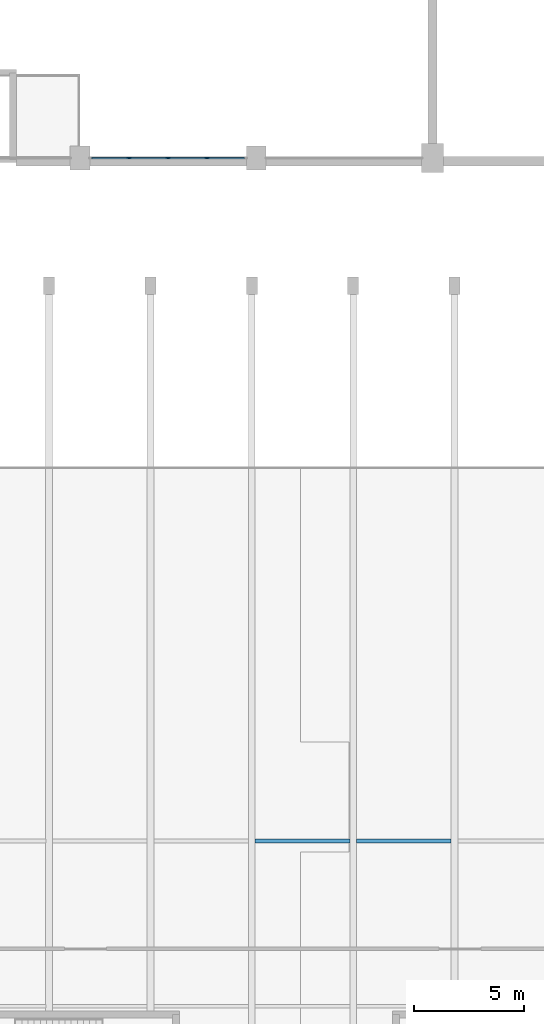
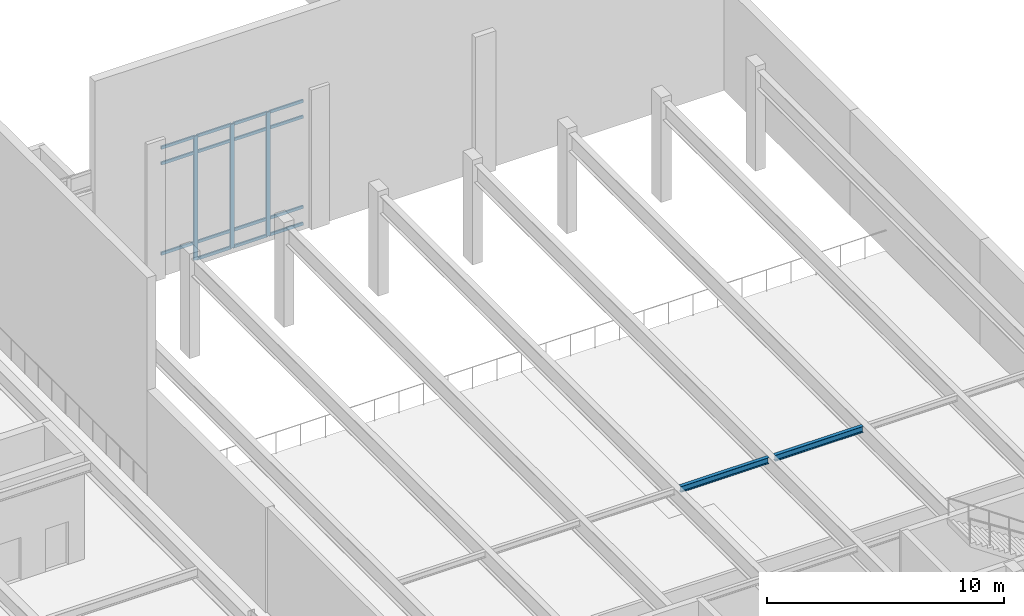
# One storey, part 42 of 84: 18 members, 2 beams, 1 element without a shape of its own.
"""IFC4 building model written with IfcOpenShell, lengths in metres."""

import ifcopenshell
import ifcopenshell.guid

model = None  # the IFC model being written
_history = None  # IfcOwnerHistory: only IFC2X3 demands one
_inside = {}  # id of a spatial element -> (the spatial element, [elements in it])
_under = {}  # id of a project, library or spatial element -> (it, [spatial elements below it])
_declared = {}  # id of a project -> (the project, [libraries it declares])
_typed = {}  # id of a type object -> (the type object, [elements of that type])
_made_of = {}  # id of a material, layer set ... -> (it, [elements and type objects made of it])


def new_model(schema):
    """Start an empty IFC model of exactly this schema.

    Asked for "IFC4X3", IfcOpenShell would pick the latest addendum, in which some entities
    have other attributes; the version numbers below select the first issue.
    IFC2X3 requires an IfcOwnerHistory on every rooted entity: one is made here for all.
    """
    global model, _history
    if schema == "IFC4X3":
        model = ifcopenshell.file(schema_version=(4, 3, 0, 0))
    else:
        model = ifcopenshell.file(schema=schema)
    _inside.clear()
    _under.clear()
    _declared.clear()
    _typed.clear()
    _made_of.clear()
    _history = None
    if model.schema == "IFC2X3":
        org = make("IfcOrganization", Name="unknown")
        user = make(
            "IfcPersonAndOrganization",
            ThePerson=make("IfcPerson", FamilyName="unknown"),
            TheOrganization=org,
        )
        app = make(
            "IfcApplication",
            ApplicationDeveloper=org,
            Version="unknown",
            ApplicationFullName="unknown",
            ApplicationIdentifier="unknown",
        )
        _history = make(
            "IfcOwnerHistory",
            OwningUser=user,
            OwningApplication=app,
            ChangeAction="ADDED",
            CreationDate=0,
        )
    return model


def make(cls, **values):
    """One entity of the class cls with the attributes given. An attribute that is None is left unset."""
    return model.create_entity(
        cls, **{name: value for name, value in values.items() if value is not None}
    )


def rooted(cls, **values):
    """An entity with a GlobalId (a new one), such as an element, a storey or a relation."""
    return make(cls, GlobalId=ifcopenshell.guid.new(), OwnerHistory=_history, **values)


def si_unit(unit_type, name, prefix=None):
    """IfcSIUnit, for example si_unit("LENGTHUNIT", "METRE", prefix="MILLI")."""
    return make("IfcSIUnit", UnitType=unit_type, Prefix=prefix, Name=name)


def assignment(units):
    """IfcUnitAssignment: the units of a project."""
    return None if units is None else make("IfcUnitAssignment", Units=units)


def point(xyz):
    """IfcCartesianPoint."""
    return None if xyz is None else make("IfcCartesianPoint", Coordinates=xyz)


def direction(xyz):
    """IfcDirection."""
    return None if xyz is None else make("IfcDirection", DirectionRatios=xyz)


def frame(location, z_axis=None, x_axis=None):
    """IfcAxis2Placement3D, a coordinate frame: its origin and axes. An axis left out is left unset."""
    return make(
        "IfcAxis2Placement3D",
        Location=point(location),
        Axis=direction(z_axis),
        RefDirection=direction(x_axis),
    )


def frame_2d(location, x_axis=None):
    """IfcAxis2Placement2D, a coordinate frame in the plane: its origin and x axis."""
    return make(
        "IfcAxis2Placement2D", Location=point(location), RefDirection=direction(x_axis)
    )


def origin():
    """The frame at (0, 0, 0) with its axes left unset."""
    return frame((0.0, 0.0, 0.0))


def origin_2d():
    """The frame at (0, 0) in the plane with its x axis left unset."""
    return frame_2d((0.0, 0.0))


def place(relative_to, where):
    """IfcLocalPlacement: puts the frame where relative to a parent placement (None: the world)."""
    return make(
        "IfcLocalPlacement", PlacementRelTo=relative_to, RelativePlacement=where
    )


def context(
    kind, dimensions, precision=None, world=None, true_north=None, identifier=None
):
    """IfcGeometricRepresentationContext, for example the 3D "Model" context."""
    return make(
        "IfcGeometricRepresentationContext",
        ContextIdentifier=identifier,
        ContextType=kind,
        CoordinateSpaceDimension=dimensions,
        Precision=precision,
        WorldCoordinateSystem=world,
        TrueNorth=true_north,
    )


def subcontext(parent, identifier, kind, view, scale=None):
    """IfcGeometricRepresentationSubContext, for example "Body" below "Model"."""
    return make(
        "IfcGeometricRepresentationSubContext",
        ContextIdentifier=identifier,
        ContextType=kind,
        ParentContext=parent,
        TargetScale=scale,
        TargetView=view,
    )


def project(units=None, contexts=None):
    """IfcProject with its units and contexts."""
    return rooted(
        "IfcProject",
        Name="project",
        RepresentationContexts=contexts,
        UnitsInContext=assignment(units),
    )


def spatial(cls, under=None, at=None, **own):
    """A site, building, storey or space (cls), placed at a placement, below another one or the project."""
    s = rooted(cls, ObjectPlacement=at, **own)
    if under is not None:
        _under.setdefault(under.id(), (under, []))[1].append(s)
    return s


def profile(cls, at=None, kind="AREA", **sizes):
    """A parametric profile (cls). Its sizes go by their IFC names, for example OverallWidth=200.0."""
    return make(cls, ProfileType=kind, Position=at, **sizes)


def rectangle(**sizes):
    """IfcRectangleProfileDef."""
    return profile("IfcRectangleProfileDef", **sizes)


def i_section(**sizes):
    """IfcIShapeProfileDef."""
    return profile("IfcIShapeProfileDef", **sizes)


def extrude(swept, where, along, depth):
    """IfcExtrudedAreaSolid: the profile swept, set in the frame where, extruded along a direction by depth."""
    return make(
        "IfcExtrudedAreaSolid",
        SweptArea=swept,
        Position=where,
        ExtrudedDirection=direction(along),
        Depth=depth,
    )


def shape(context_of_items, identifier, shape_type, items):
    """IfcShapeRepresentation: the items that make up one representation, for example the "Body"."""
    return make(
        "IfcShapeRepresentation",
        ContextOfItems=context_of_items,
        RepresentationIdentifier=identifier,
        RepresentationType=shape_type,
        Items=items,
    )


def material(Name=None, Category=None):
    """IfcMaterial."""
    return make("IfcMaterial", Name=Name, Category=Category)


def layer(
    of_material, thickness, ventilated=None, Name=None, Category=None, Priority=None
):
    """IfcMaterialLayer: one layer of a wall or slab, of a material (None: an air gap)."""
    return make(
        "IfcMaterialLayer",
        Material=of_material,
        LayerThickness=thickness,
        IsVentilated=ventilated,
        Name=Name,
        Category=Category,
        Priority=Priority,
    )


def layer_set(layers, Name=None):
    """IfcMaterialLayerSet."""
    return make("IfcMaterialLayerSet", MaterialLayers=layers, LayerSetName=Name)


def material_profile(
    of_material, cross_section, Name=None, Category=None, Priority=None
):
    """IfcMaterialProfile: a cross section and its material."""
    return make(
        "IfcMaterialProfile",
        Name=Name,
        Material=of_material,
        Profile=cross_section,
        Priority=Priority,
        Category=Category,
    )


def profile_set(profiles, Name=None, composite=None):
    """IfcMaterialProfileSet."""
    return make(
        "IfcMaterialProfileSet",
        Name=Name,
        MaterialProfiles=profiles,
        CompositeProfile=composite,
    )


def made_of(thing, what):
    """Note that an element or type object is made of a material, layer set ...; save() writes the relation."""
    if what is not None:
        _made_of.setdefault(what.id(), (what, []))[1].append(thing)
    return thing


def type_object(cls, material=None, **own):
    """A type object (cls), such as IfcWallType, which elements share."""
    return made_of(rooted(cls, **own), material)


def element(
    cls,
    number,
    at=None,
    inside=None,
    cuts=None,
    type_object=None,
    material=None,
    context=None,
    identifier="Body",
    shape_type=None,
    held_by="IfcProductDefinitionShape",
    body=None,
    shapes=None,
    **own,
):
    """One element of the class cls, such as IfcWall. Its Tag is "e" and its number.

    at: its placement. inside: the storey or other place that contains it. cuts: it is an
    opening in that element (IfcRelVoidsElement). A single representation is given by context,
    identifier, shape_type and body (its items); several are given by shapes. held_by: the class
    of the entity that holds the representations. save() writes the other relations.
    """
    e = rooted(cls, Tag="e%d" % number, ObjectPlacement=at, **own)
    if body is not None:
        shapes = [shape(context, identifier, shape_type, body)]
    if shapes is not None:
        e.Representation = make(held_by, Representations=shapes)
    if inside is not None:
        _inside.setdefault(inside.id(), (inside, []))[1].append(e)
    if cuts is not None:
        rooted(
            "IfcRelVoidsElement", RelatingBuildingElement=cuts, RelatedOpeningElement=e
        )
    if type_object is not None:
        _typed.setdefault(type_object.id(), (type_object, []))[1].append(e)
    return made_of(e, material)


def aggregate(whole, parts):
    """IfcRelAggregates: a whole, such as a stair, and the parts it consists of."""
    return rooted("IfcRelAggregates", RelatingObject=whole, RelatedObjects=parts)


def save(model, path):
    """Write the relations noted so far, then the file.

    IfcRelAggregates (storeys below a building ...), IfcRelContainedInSpatialStructure (elements
    in a storey), IfcRelDefinesByType, IfcRelAssociatesMaterial and IfcRelDeclares: one each for
    every whole, place, type object, material and project.
    """
    for whole, parts in _under.values():
        aggregate(whole, parts)
    for where, things in _inside.values():
        rooted(
            "IfcRelContainedInSpatialStructure",
            RelatedElements=things,
            RelatingStructure=where,
        )
    for kind, things in _typed.values():
        rooted("IfcRelDefinesByType", RelatedObjects=things, RelatingType=kind)
    for what, things in _made_of.values():
        rooted("IfcRelAssociatesMaterial", RelatedObjects=things, RelatingMaterial=what)
    for by, libraries in _declared.values():
        rooted("IfcRelDeclares", RelatingContext=by, RelatedDefinitions=libraries)
    model.write(path)


model = new_model("IFC4")

# Units and contexts
model_context = context("Model", 3, precision=1e-05, world=origin(), true_north=direction((0.0, 1.0)))
body_context = subcontext(model_context, "Body", "Model", "MODEL_VIEW")
ifc_project = project(units=[si_unit("LENGTHUNIT", "METRE"), si_unit("AREAUNIT", "SQUARE_METRE"), si_unit("VOLUMEUNIT", "CUBIC_METRE"), si_unit("PLANEANGLEUNIT", "RADIAN"), si_unit("MASSUNIT", "GRAM", prefix="KILO")], contexts=[model_context])

# Site, building, storey
site_placement = place(None, origin())
site = spatial("IfcSite", under=ifc_project, at=site_placement, CompositionType="ELEMENT")
building_placement = place(site_placement, origin())
building = spatial("IfcBuilding", under=site, at=building_placement, Name="Tlacozan Convention Centre", CompositionType="ELEMENT")
storey_placement = place(building_placement, frame((0.0, 0.0, 6.0)))
storey = spatial("IfcBuildingStorey", under=building, at=storey_placement, Name="L01", CompositionType="ELEMENT", Elevation=6.0)

# Curtain wall, members
ifc_material_1 = material(Name="Dark Bronze Anodised Aluminium", Category="aluminium")
ifc_layer = layer(ifc_material_1, 0.199951171875)
ifc_layer_set = layer_set([ifc_layer], Name="Dark Bronze Anodised Aluminium")
curtain_wall_type = type_object("IfcCurtainWallType", Name="Exhibition Clerestory Curtain Wall CW10", PredefinedType="NOTDEFINED", material=ifc_layer_set)
curtain_wall_placement = place(storey_placement, origin())
curtain_wall = element("IfcCurtainWall", 1, at=curtain_wall_placement, inside=storey, type_object=curtain_wall_type, Name="L01 CW-10 Run 28", PredefinedType="NOTDEFINED")
ifc_material_profile_1 = material_profile(ifc_material_1, rectangle(XDim=0.074951171875, YDim=0.199951171875, at=origin_2d()), Name="ALU 75x200")
ifc_profile_set_1 = profile_set([ifc_material_profile_1], Name="Dark Bronze Anodised Aluminium")
member_type_1 = type_object("IfcMemberType", Name="Curtain Wall Heavy Mullion 75x200", PredefinedType="MULLION", material=ifc_profile_set_1)
member_1_placement = place(storey_placement, frame((154.232421875, 62.0, 0.0), z_axis=(0.0, 0.0, 1.0), x_axis=(0.0, 1.0, 0.0)))
member_1 = element("IfcMember", 2, at=member_1_placement, type_object=member_type_1, Name="CW-10 mullion 2", PredefinedType="MULLION", context=body_context, shape_type="SweptSolid", body=[
    extrude(rectangle(XDim=0.074951171875, YDim=0.199951171875, at=origin_2d()), origin(), (0.0, 0.0, 1.0), 6.39990234375),
])
member_2_placement = place(storey_placement, frame((156.0, 62.0, 0.0), z_axis=(0.0, 0.0, 1.0), x_axis=(0.0, 1.0, 0.0)))
member_2 = element("IfcMember", 3, at=member_2_placement, type_object=member_type_1, Name="CW-10 mullion 3", PredefinedType="MULLION", context=body_context, shape_type="SweptSolid", body=[
    extrude(rectangle(XDim=0.074951171875, YDim=0.199951171875, at=origin_2d()), origin(), (0.0, 0.0, 1.0), 6.39990234375),
])
member_3_placement = place(storey_placement, frame((157.767578125, 62.0, 0.0), z_axis=(0.0, 0.0, 1.0), x_axis=(0.0, 1.0, 0.0)))
member_3 = element("IfcMember", 4, at=member_3_placement, type_object=member_type_1, Name="CW-10 mullion 4", PredefinedType="MULLION", context=body_context, shape_type="SweptSolid", body=[
    extrude(rectangle(XDim=0.074951171875, YDim=0.199951171875, at=origin_2d()), origin(), (0.0, 0.0, 1.0), 6.39990234375),
])
ifc_material_profile_2 = material_profile(ifc_material_1, rectangle(XDim=0.074951171875, YDim=0.14990234375, at=origin_2d()), Name="ALU 75x150")
ifc_profile_set_2 = profile_set([ifc_material_profile_2], Name="Dark Bronze Anodised Aluminium")
member_type_2 = type_object("IfcMemberType", Name="Curtain Wall Heavy Transom 75x150", PredefinedType="USERDEFINED", material=ifc_profile_set_2)
member_4_placement = place(storey_placement, frame((152.5400390625, 62.0, 0.89990234375), z_axis=(1.0, 0.0, 0.0), x_axis=(0.0, 1.0, 0.0)))
member_4 = element("IfcMember", 5, at=member_4_placement, type_object=member_type_2, Name="CW-10 transom 1.2", ObjectType="TRANSOM", PredefinedType="USERDEFINED", context=body_context, shape_type="SweptSolid", body=[
    extrude(rectangle(XDim=0.074951171875, YDim=0.14990234375, at=origin_2d()), origin(), (0.0, 0.0, 1.0), 1.655029296875),
])
member_5_placement = place(storey_placement, frame((152.5400390625, 62.0, 5.550048828125), z_axis=(1.0, 0.0, 0.0), x_axis=(0.0, 1.0, 0.0)))
member_5 = element("IfcMember", 6, at=member_5_placement, type_object=member_type_2, Name="CW-10 transom 1.3", ObjectType="TRANSOM", PredefinedType="USERDEFINED", context=body_context, shape_type="SweptSolid", body=[
    extrude(rectangle(XDim=0.074951171875, YDim=0.14990234375, at=origin_2d()), origin(), (0.0, 0.0, 1.0), 1.655029296875),
])
member_6_placement = place(storey_placement, frame((152.5400390625, 62.0, 6.362548828125), z_axis=(1.0, 0.0, 0.0), x_axis=(0.0, 1.0, 0.0)))
member_6 = element("IfcMember", 7, at=member_6_placement, type_object=member_type_2, Name="CW-10 transom 1.4", ObjectType="TRANSOM", PredefinedType="USERDEFINED", context=body_context, shape_type="SweptSolid", body=[
    extrude(rectangle(XDim=0.074951171875, YDim=0.14990234375, at=origin_2d()), origin(), (0.0, 0.0, 1.0), 1.655029296875),
])
member_7_placement = place(storey_placement, frame((154.27001953125, 62.0, 0.03759765625), z_axis=(1.0, 0.0, 0.0), x_axis=(0.0, 1.0, 0.0)))
member_7 = element("IfcMember", 8, at=member_7_placement, type_object=member_type_2, Name="CW-10 transom 2.1", ObjectType="TRANSOM", PredefinedType="USERDEFINED", context=body_context, shape_type="SweptSolid", body=[
    extrude(rectangle(XDim=0.074951171875, YDim=0.14990234375, at=origin_2d()), origin(), (0.0, 0.0, 1.0), 1.6923828125),
])
member_8_placement = place(storey_placement, frame((154.27001953125, 62.0, 0.89990234375), z_axis=(1.0, 0.0, 0.0), x_axis=(0.0, 1.0, 0.0)))
member_8 = element("IfcMember", 9, at=member_8_placement, type_object=member_type_2, Name="CW-10 transom 2.2", ObjectType="TRANSOM", PredefinedType="USERDEFINED", context=body_context, shape_type="SweptSolid", body=[
    extrude(rectangle(XDim=0.074951171875, YDim=0.14990234375, at=origin_2d()), origin(), (0.0, 0.0, 1.0), 1.6923828125),
])
member_9_placement = place(storey_placement, frame((154.27001953125, 62.0, 5.550048828125), z_axis=(1.0, 0.0, 0.0), x_axis=(0.0, 1.0, 0.0)))
member_9 = element("IfcMember", 10, at=member_9_placement, type_object=member_type_2, Name="CW-10 transom 2.3", ObjectType="TRANSOM", PredefinedType="USERDEFINED", context=body_context, shape_type="SweptSolid", body=[
    extrude(rectangle(XDim=0.074951171875, YDim=0.14990234375, at=origin_2d()), origin(), (0.0, 0.0, 1.0), 1.6923828125),
])
member_10_placement = place(storey_placement, frame((154.27001953125, 62.0, 6.362548828125), z_axis=(1.0, 0.0, 0.0), x_axis=(0.0, 1.0, 0.0)))
member_10 = element("IfcMember", 11, at=member_10_placement, type_object=member_type_2, Name="CW-10 transom 2.4", ObjectType="TRANSOM", PredefinedType="USERDEFINED", context=body_context, shape_type="SweptSolid", body=[
    extrude(rectangle(XDim=0.074951171875, YDim=0.14990234375, at=origin_2d()), origin(), (0.0, 0.0, 1.0), 1.6923828125),
])
member_11_placement = place(storey_placement, frame((156.03759765625, 62.0, 0.03759765625), z_axis=(1.0, 0.0, 0.0), x_axis=(0.0, 1.0, 0.0)))
member_11 = element("IfcMember", 12, at=member_11_placement, type_object=member_type_2, Name="CW-10 transom 3.1", ObjectType="TRANSOM", PredefinedType="USERDEFINED", context=body_context, shape_type="SweptSolid", body=[
    extrude(rectangle(XDim=0.074951171875, YDim=0.14990234375, at=origin_2d()), origin(), (0.0, 0.0, 1.0), 1.6923828125),
])
member_12_placement = place(storey_placement, frame((156.03759765625, 62.0, 0.89990234375), z_axis=(1.0, 0.0, 0.0), x_axis=(0.0, 1.0, 0.0)))
member_12 = element("IfcMember", 13, at=member_12_placement, type_object=member_type_2, Name="CW-10 transom 3.2", ObjectType="TRANSOM", PredefinedType="USERDEFINED", context=body_context, shape_type="SweptSolid", body=[
    extrude(rectangle(XDim=0.074951171875, YDim=0.14990234375, at=origin_2d()), origin(), (0.0, 0.0, 1.0), 1.6923828125),
])
member_13_placement = place(storey_placement, frame((156.03759765625, 62.0, 5.550048828125), z_axis=(1.0, 0.0, 0.0), x_axis=(0.0, 1.0, 0.0)))
member_13 = element("IfcMember", 14, at=member_13_placement, type_object=member_type_2, Name="CW-10 transom 3.3", ObjectType="TRANSOM", PredefinedType="USERDEFINED", context=body_context, shape_type="SweptSolid", body=[
    extrude(rectangle(XDim=0.074951171875, YDim=0.14990234375, at=origin_2d()), origin(), (0.0, 0.0, 1.0), 1.6923828125),
])
member_14_placement = place(storey_placement, frame((156.03759765625, 62.0, 6.362548828125), z_axis=(1.0, 0.0, 0.0), x_axis=(0.0, 1.0, 0.0)))
member_14 = element("IfcMember", 15, at=member_14_placement, type_object=member_type_2, Name="CW-10 transom 3.4", ObjectType="TRANSOM", PredefinedType="USERDEFINED", context=body_context, shape_type="SweptSolid", body=[
    extrude(rectangle(XDim=0.074951171875, YDim=0.14990234375, at=origin_2d()), origin(), (0.0, 0.0, 1.0), 1.6923828125),
])
member_15_placement = place(storey_placement, frame((157.804931640625, 62.0, 0.03759765625), z_axis=(1.0, 0.0, 0.0), x_axis=(0.0, 1.0, 0.0)))
member_15 = element("IfcMember", 16, at=member_15_placement, type_object=member_type_2, Name="CW-10 transom 4.1", ObjectType="TRANSOM", PredefinedType="USERDEFINED", context=body_context, shape_type="SweptSolid", body=[
    extrude(rectangle(XDim=0.074951171875, YDim=0.14990234375, at=origin_2d()), origin(), (0.0, 0.0, 1.0), 1.655029296875),
])
member_16_placement = place(storey_placement, frame((157.804931640625, 62.0, 0.89990234375), z_axis=(1.0, 0.0, 0.0), x_axis=(0.0, 1.0, 0.0)))
member_16 = element("IfcMember", 17, at=member_16_placement, type_object=member_type_2, Name="CW-10 transom 4.2", ObjectType="TRANSOM", PredefinedType="USERDEFINED", context=body_context, shape_type="SweptSolid", body=[
    extrude(rectangle(XDim=0.074951171875, YDim=0.14990234375, at=origin_2d()), origin(), (0.0, 0.0, 1.0), 1.655029296875),
])
member_17_placement = place(storey_placement, frame((157.804931640625, 62.0, 5.550048828125), z_axis=(1.0, 0.0, 0.0), x_axis=(0.0, 1.0, 0.0)))
member_17 = element("IfcMember", 18, at=member_17_placement, type_object=member_type_2, Name="CW-10 transom 4.3", ObjectType="TRANSOM", PredefinedType="USERDEFINED", context=body_context, shape_type="SweptSolid", body=[
    extrude(rectangle(XDim=0.074951171875, YDim=0.14990234375, at=origin_2d()), origin(), (0.0, 0.0, 1.0), 1.655029296875),
])
member_18_placement = place(storey_placement, frame((157.804931640625, 62.0, 6.362548828125), z_axis=(1.0, 0.0, 0.0), x_axis=(0.0, 1.0, 0.0)))
member_18 = element("IfcMember", 19, at=member_18_placement, type_object=member_type_2, Name="CW-10 transom 4.4", ObjectType="TRANSOM", PredefinedType="USERDEFINED", context=body_context, shape_type="SweptSolid", body=[
    extrude(rectangle(XDim=0.074951171875, YDim=0.14990234375, at=origin_2d()), origin(), (0.0, 0.0, 1.0), 1.655029296875),
])
aggregate(curtain_wall, [member_1, member_2, member_3, member_4, member_5, member_6, member_7, member_8, member_9, member_10, member_11, member_12, member_13, member_14, member_15, member_16, member_17, member_18])

# Beams
ifc_material_2 = material(Name="Steel ASTM A992 Grade 50", Category="steel")
ifc_material_profile_3 = material_profile(ifc_material_2, i_section(OverallWidth=0.1669921875, OverallDepth=0.31689453125, WebThickness=0.007568359375, FlangeThickness=0.01318359375, FilletRadius=0.010009765625, at=origin_2d()), Name="IR 305x52.2")
ifc_profile_set_3 = profile_set([ifc_material_profile_3], Name="Steel ASTM A992 Grade 50")
beam_type = type_object("IfcBeamType", Name="Secondary Joist IR 305x52.2", PredefinedType="JOIST", material=ifc_profile_set_3)
beam_1_placement = place(storey_placement, frame((159.951904296875, 31.0, 4.9814453125), z_axis=(1.0, 0.0, 0.0), x_axis=(0.0, 1.0, 0.0)))
element("IfcBeam", 20, at=beam_1_placement, inside=storey, type_object=beam_type, Name="L01 Secondary Joist IR 305x52.2 1612", PredefinedType="JOIST", context=body_context, shape_type="SweptSolid", body=[
    extrude(i_section(OverallWidth=0.1669921875, OverallDepth=0.31689453125, WebThickness=0.007568359375, FlangeThickness=0.01318359375, FilletRadius=0.010009765625, at=origin_2d()), origin(), (0.0, 0.0, 1.0), 4.296142578125),
])
beam_2_placement = place(storey_placement, frame((164.552001953125, 31.0, 4.9814453125), z_axis=(1.0, 0.0, 0.0), x_axis=(0.0, 1.0, 0.0)))
element("IfcBeam", 21, at=beam_2_placement, inside=storey, type_object=beam_type, Name="L01 Secondary Joist IR 305x52.2 1614", PredefinedType="JOIST", context=body_context, shape_type="SweptSolid", body=[
    extrude(i_section(OverallWidth=0.1669921875, OverallDepth=0.31689453125, WebThickness=0.007568359375, FlangeThickness=0.01318359375, FilletRadius=0.010009765625, at=origin_2d()), origin(), (0.0, 0.0, 1.0), 4.2958984375),
])

save(model, "model.ifc")
